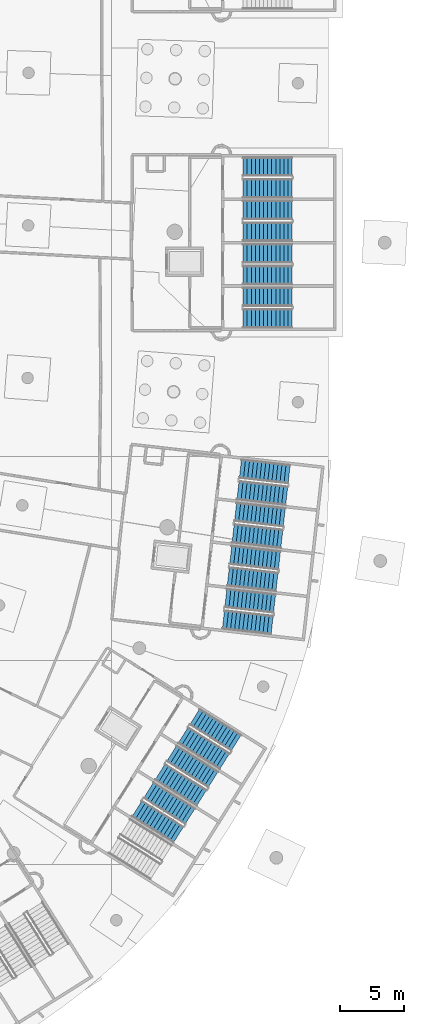
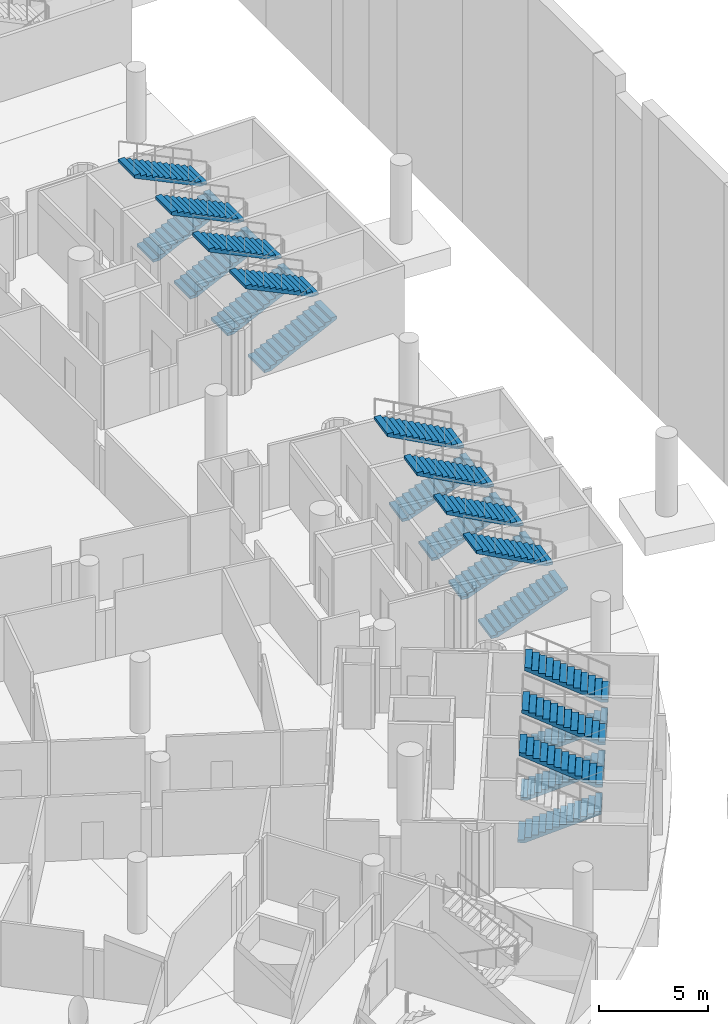
# One storey, part 102 of 142: 22 stair flights, 11 elements without a shape of their own.
"""IFC4 building model written with IfcOpenShell, lengths in metres."""

from ifc_helpers import new_model, si_unit, direction, frame, origin, place, context, subcontext, project, spatial, polyline, outline, extrude, material, type_object, element, aggregate, save


model = new_model("IFC4")

# Units and contexts
model_context = context("Model", 3, precision=1e-05, world=origin(), true_north=direction((0.0, 1.0)))
body_context = subcontext(model_context, "Body", "Model", "MODEL_VIEW")
ifc_project = project(units=[si_unit("LENGTHUNIT", "METRE"), si_unit("AREAUNIT", "SQUARE_METRE"), si_unit("VOLUMEUNIT", "CUBIC_METRE"), si_unit("PLANEANGLEUNIT", "RADIAN"), si_unit("MASSUNIT", "GRAM", prefix="KILO")], contexts=[model_context])

# Site, building, storey
site_placement = place(None, origin())
site = spatial("IfcSite", under=ifc_project, at=site_placement, CompositionType="ELEMENT")
building_placement = place(site_placement, origin())
building = spatial("IfcBuilding", under=site, at=building_placement, Name="Meseta Stadium", CompositionType="ELEMENT")
storey_placement = place(building_placement, frame((0.0, 0.0, -4.0)))
storey = spatial("IfcBuildingStorey", under=building, at=storey_placement, Name="B1", CompositionType="ELEMENT", Elevation=-4.0)

# Stair, stair flights
ifc_material_1 = material(Name="Concrete C40/50", Category="concrete")
stair_type = type_object("IfcStairType", Name="Exit stair 2 flights 154 mm risers", PredefinedType="HALF_TURN_STAIR", material=ifc_material_1)
stair_1_placement = place(storey_placement, origin())
stair_1 = element("IfcStair", 1, at=stair_1_placement, inside=storey, type_object=stair_type, Name="ST1 B1", PredefinedType="HALF_TURN_STAIR")
ifc_material_2 = material(Name="Concrete C40/50", Category="concrete")
stair_flight_type = type_object("IfcStairFlightType", Name="Exit stair flight 154 mm risers, 2 per storey", PredefinedType="STRAIGHT", material=ifc_material_2)
stair_flight_1_placement = place(storey_placement, frame((88.759033203125, -60.805419921875, 0.0), z_axis=(0.0, 0.0, 1.0), x_axis=(0.993712210731, -0.11196446867, 0.0)))
stair_flight_1 = element("IfcStairFlight", 2, at=stair_flight_1_placement, type_object=stair_flight_type, Name="ST1 B1 flight 1", NumberOfRisers=13, NumberOfTreads=12, PredefinedType="STRAIGHT", RiserHeight=0.153846154, TreadLength=0.32, context=body_context, shape_type="SweptSolid", body=[
    extrude(outline(polyline([(0.0, 0.0), (0.0, 0.15380859375), (0.320068359375, 0.15380859375), (0.320068359375, 0.3076171875), (0.639892578125, 0.3076171875), (0.639892578125, 0.46142578125), (0.9599609375, 0.46142578125), (0.9599609375, 0.615478515625), (1.280029296875, 0.615478515625), (1.280029296875, 0.769287109375), (1.60009765625, 0.769287109375), (1.60009765625, 0.923095703125), (1.919921875, 0.923095703125), (1.919921875, 1.076904296875), (2.239990234375, 1.076904296875), (2.239990234375, 1.230712890625), (2.56005859375, 1.230712890625), (2.56005859375, 1.384521484375), (2.8798828125, 1.384521484375), (2.8798828125, 1.53857421875), (3.199951171875, 1.53857421875), (3.199951171875, 1.6923828125), (3.52001953125, 1.6923828125), (3.52001953125, 1.84619140625), (3.840087890625, 1.84619140625), (3.840087890625, 1.679931640625), (0.345947265625, 0.0), (0.0, 0.0)])), frame((0.0, 0.75, 0.0), z_axis=(0.0, -1.0, 0.0), x_axis=(1.0, 0.0, 0.0)), (0.0, 0.0, 1.0), 1.5),
])
stair_flight_2_placement = place(storey_placement, frame((92.76513671875, -59.546142578125, 2.0), z_axis=(0.0, 0.0, 1.0), x_axis=(-0.993712210731, 0.11196446867, 0.0)))
stair_flight_2 = element("IfcStairFlight", 3, at=stair_flight_2_placement, type_object=stair_flight_type, Name="ST1 B1 flight 2", NumberOfRisers=13, NumberOfTreads=12, PredefinedType="STRAIGHT", RiserHeight=0.153846154, TreadLength=0.32, context=body_context, shape_type="SweptSolid", body=[
    extrude(outline(polyline([(0.0, 0.0), (0.0, 0.15380859375), (0.320068359375, 0.15380859375), (0.320068359375, 0.3076171875), (0.639892578125, 0.3076171875), (0.639892578125, 0.46142578125), (0.9599609375, 0.46142578125), (0.9599609375, 0.615478515625), (1.280029296875, 0.615478515625), (1.280029296875, 0.769287109375), (1.60009765625, 0.769287109375), (1.60009765625, 0.923095703125), (1.919921875, 0.923095703125), (1.919921875, 1.076904296875), (2.239990234375, 1.076904296875), (2.239990234375, 1.230712890625), (2.56005859375, 1.230712890625), (2.56005859375, 1.384521484375), (2.8798828125, 1.384521484375), (2.8798828125, 1.53857421875), (3.199951171875, 1.53857421875), (3.199951171875, 1.6923828125), (3.52001953125, 1.6923828125), (3.52001953125, 1.84619140625), (3.840087890625, 1.84619140625), (3.840087890625, 1.679931640625), (0.345947265625, 0.0), (0.0, 0.0)])), frame((0.0, 0.75, 0.0), z_axis=(0.0, -1.0, 0.0), x_axis=(1.0, 0.0, 0.0)), (0.0, 0.0, 1.0), 1.5),
])
aggregate(stair_1, [stair_flight_1, stair_flight_2])

stair_2_placement = place(storey_placement, origin())
stair_2 = element("IfcStair", 4, at=stair_2_placement, inside=storey, type_object=stair_type, Name="ST2 B1", PredefinedType="HALF_TURN_STAIR")
stair_flight_3_placement = place(storey_placement, frame((89.1396484375, -57.4267578125, 0.0), z_axis=(0.0, 0.0, 1.0), x_axis=(0.993712210731, -0.11196446867, 0.0)))
stair_flight_3 = element("IfcStairFlight", 5, at=stair_flight_3_placement, type_object=stair_flight_type, Name="ST2 B1 flight 1", NumberOfRisers=13, NumberOfTreads=12, PredefinedType="STRAIGHT", RiserHeight=0.153846154, TreadLength=0.32, context=body_context, shape_type="SweptSolid", body=[
    extrude(outline(polyline([(0.0, 0.0), (0.0, 0.15380859375), (0.320068359375, 0.15380859375), (0.320068359375, 0.3076171875), (0.639892578125, 0.3076171875), (0.639892578125, 0.46142578125), (0.9599609375, 0.46142578125), (0.9599609375, 0.615478515625), (1.280029296875, 0.615478515625), (1.280029296875, 0.769287109375), (1.60009765625, 0.769287109375), (1.60009765625, 0.923095703125), (1.919921875, 0.923095703125), (1.919921875, 1.076904296875), (2.239990234375, 1.076904296875), (2.239990234375, 1.230712890625), (2.56005859375, 1.230712890625), (2.56005859375, 1.384521484375), (2.8798828125, 1.384521484375), (2.8798828125, 1.53857421875), (3.199951171875, 1.53857421875), (3.199951171875, 1.6923828125), (3.52001953125, 1.6923828125), (3.52001953125, 1.84619140625), (3.840087890625, 1.84619140625), (3.840087890625, 1.679931640625), (0.345947265625, 0.0), (0.0, 0.0)])), frame((0.0, 0.75, 0.0), z_axis=(0.0, -1.0, 0.0), x_axis=(1.0, 0.0, 0.0)), (0.0, 0.0, 1.0), 1.5),
])
stair_flight_4_placement = place(storey_placement, frame((93.14599609375, -56.16748046875, 2.0), z_axis=(0.0, 0.0, 1.0), x_axis=(-0.993712210731, 0.11196446867, 0.0)))
stair_flight_4 = element("IfcStairFlight", 6, at=stair_flight_4_placement, type_object=stair_flight_type, Name="ST2 B1 flight 2", NumberOfRisers=13, NumberOfTreads=12, PredefinedType="STRAIGHT", RiserHeight=0.153846154, TreadLength=0.32, context=body_context, shape_type="SweptSolid", body=[
    extrude(outline(polyline([(0.0, 0.0), (0.0, 0.15380859375), (0.320068359375, 0.15380859375), (0.320068359375, 0.3076171875), (0.639892578125, 0.3076171875), (0.639892578125, 0.46142578125), (0.9599609375, 0.46142578125), (0.9599609375, 0.615478515625), (1.280029296875, 0.615478515625), (1.280029296875, 0.769287109375), (1.60009765625, 0.769287109375), (1.60009765625, 0.923095703125), (1.919921875, 0.923095703125), (1.919921875, 1.076904296875), (2.239990234375, 1.076904296875), (2.239990234375, 1.230712890625), (2.56005859375, 1.230712890625), (2.56005859375, 1.384521484375), (2.8798828125, 1.384521484375), (2.8798828125, 1.53857421875), (3.199951171875, 1.53857421875), (3.199951171875, 1.6923828125), (3.52001953125, 1.6923828125), (3.52001953125, 1.84619140625), (3.840087890625, 1.84619140625), (3.840087890625, 1.679931640625), (0.345947265625, 0.0), (0.0, 0.0)])), frame((0.0, 0.75, 0.0), z_axis=(0.0, -1.0, 0.0), x_axis=(1.0, 0.0, 0.0)), (0.0, 0.0, 1.0), 1.5),
])
aggregate(stair_2, [stair_flight_3, stair_flight_4])

stair_3_placement = place(storey_placement, origin())
stair_3 = element("IfcStair", 7, at=stair_3_placement, inside=storey, type_object=stair_type, Name="ST3 B1", PredefinedType="HALF_TURN_STAIR")
stair_flight_5_placement = place(storey_placement, frame((89.5205078125, -54.048095703125, 0.0), z_axis=(0.0, 0.0, 1.0), x_axis=(0.993712210731, -0.11196446867, 0.0)))
stair_flight_5 = element("IfcStairFlight", 8, at=stair_flight_5_placement, type_object=stair_flight_type, Name="ST3 B1 flight 1", NumberOfRisers=13, NumberOfTreads=12, PredefinedType="STRAIGHT", RiserHeight=0.153846154, TreadLength=0.32, context=body_context, shape_type="SweptSolid", body=[
    extrude(outline(polyline([(0.0, 0.0), (0.0, 0.15380859375), (0.320068359375, 0.15380859375), (0.320068359375, 0.3076171875), (0.639892578125, 0.3076171875), (0.639892578125, 0.46142578125), (0.9599609375, 0.46142578125), (0.9599609375, 0.615478515625), (1.280029296875, 0.615478515625), (1.280029296875, 0.769287109375), (1.60009765625, 0.769287109375), (1.60009765625, 0.923095703125), (1.919921875, 0.923095703125), (1.919921875, 1.076904296875), (2.239990234375, 1.076904296875), (2.239990234375, 1.230712890625), (2.56005859375, 1.230712890625), (2.56005859375, 1.384521484375), (2.8798828125, 1.384521484375), (2.8798828125, 1.53857421875), (3.199951171875, 1.53857421875), (3.199951171875, 1.6923828125), (3.52001953125, 1.6923828125), (3.52001953125, 1.84619140625), (3.840087890625, 1.84619140625), (3.840087890625, 1.679931640625), (0.345947265625, 0.0), (0.0, 0.0)])), frame((0.0, 0.75, 0.0), z_axis=(0.0, -1.0, 0.0), x_axis=(1.0, 0.0, 0.0)), (0.0, 0.0, 1.0), 1.5),
])
stair_flight_6_placement = place(storey_placement, frame((93.526611328125, -52.788818359375, 2.0), z_axis=(0.0, 0.0, 1.0), x_axis=(-0.993712210731, 0.11196446867, 0.0)))
stair_flight_6 = element("IfcStairFlight", 9, at=stair_flight_6_placement, type_object=stair_flight_type, Name="ST3 B1 flight 2", NumberOfRisers=13, NumberOfTreads=12, PredefinedType="STRAIGHT", RiserHeight=0.153846154, TreadLength=0.32, context=body_context, shape_type="SweptSolid", body=[
    extrude(outline(polyline([(0.0, 0.0), (0.0, 0.15380859375), (0.320068359375, 0.15380859375), (0.320068359375, 0.3076171875), (0.639892578125, 0.3076171875), (0.639892578125, 0.46142578125), (0.9599609375, 0.46142578125), (0.9599609375, 0.615478515625), (1.280029296875, 0.615478515625), (1.280029296875, 0.769287109375), (1.60009765625, 0.769287109375), (1.60009765625, 0.923095703125), (1.919921875, 0.923095703125), (1.919921875, 1.076904296875), (2.239990234375, 1.076904296875), (2.239990234375, 1.230712890625), (2.56005859375, 1.230712890625), (2.56005859375, 1.384521484375), (2.8798828125, 1.384521484375), (2.8798828125, 1.53857421875), (3.199951171875, 1.53857421875), (3.199951171875, 1.6923828125), (3.52001953125, 1.6923828125), (3.52001953125, 1.84619140625), (3.840087890625, 1.84619140625), (3.840087890625, 1.679931640625), (0.345947265625, 0.0), (0.0, 0.0)])), frame((0.0, 0.75, 0.0), z_axis=(0.0, -1.0, 0.0), x_axis=(1.0, 0.0, 0.0)), (0.0, 0.0, 1.0), 1.5),
])
aggregate(stair_3, [stair_flight_5, stair_flight_6])

stair_4_placement = place(storey_placement, origin())
stair_4 = element("IfcStair", 10, at=stair_4_placement, inside=storey, type_object=stair_type, Name="ST4 B1", PredefinedType="HALF_TURN_STAIR")
stair_flight_7_placement = place(storey_placement, frame((89.901123046875, -50.669677734375, 0.0), z_axis=(0.0, 0.0, 1.0), x_axis=(0.993712210731, -0.11196446867, 0.0)))
stair_flight_7 = element("IfcStairFlight", 11, at=stair_flight_7_placement, type_object=stair_flight_type, Name="ST4 B1 flight 1", NumberOfRisers=13, NumberOfTreads=12, PredefinedType="STRAIGHT", RiserHeight=0.153846154, TreadLength=0.32, context=body_context, shape_type="SweptSolid", body=[
    extrude(outline(polyline([(0.0, 0.0), (0.0, 0.15380859375), (0.320068359375, 0.15380859375), (0.320068359375, 0.3076171875), (0.639892578125, 0.3076171875), (0.639892578125, 0.46142578125), (0.9599609375, 0.46142578125), (0.9599609375, 0.615478515625), (1.280029296875, 0.615478515625), (1.280029296875, 0.769287109375), (1.60009765625, 0.769287109375), (1.60009765625, 0.923095703125), (1.919921875, 0.923095703125), (1.919921875, 1.076904296875), (2.239990234375, 1.076904296875), (2.239990234375, 1.230712890625), (2.56005859375, 1.230712890625), (2.56005859375, 1.384521484375), (2.8798828125, 1.384521484375), (2.8798828125, 1.53857421875), (3.199951171875, 1.53857421875), (3.199951171875, 1.6923828125), (3.52001953125, 1.6923828125), (3.52001953125, 1.84619140625), (3.840087890625, 1.84619140625), (3.840087890625, 1.679931640625), (0.345947265625, 0.0), (0.0, 0.0)])), frame((0.0, 0.75, 0.0), z_axis=(0.0, -1.0, 0.0), x_axis=(1.0, 0.0, 0.0)), (0.0, 0.0, 1.0), 1.5),
])
stair_flight_8_placement = place(storey_placement, frame((93.9072265625, -49.41015625, 2.0), z_axis=(0.0, 0.0, 1.0), x_axis=(-0.993712210731, 0.11196446867, 0.0)))
stair_flight_8 = element("IfcStairFlight", 12, at=stair_flight_8_placement, type_object=stair_flight_type, Name="ST4 B1 flight 2", NumberOfRisers=13, NumberOfTreads=12, PredefinedType="STRAIGHT", RiserHeight=0.153846154, TreadLength=0.32, context=body_context, shape_type="SweptSolid", body=[
    extrude(outline(polyline([(0.0, 0.0), (0.0, 0.15380859375), (0.320068359375, 0.15380859375), (0.320068359375, 0.3076171875), (0.639892578125, 0.3076171875), (0.639892578125, 0.46142578125), (0.9599609375, 0.46142578125), (0.9599609375, 0.615478515625), (1.280029296875, 0.615478515625), (1.280029296875, 0.769287109375), (1.60009765625, 0.769287109375), (1.60009765625, 0.923095703125), (1.919921875, 0.923095703125), (1.919921875, 1.076904296875), (2.239990234375, 1.076904296875), (2.239990234375, 1.230712890625), (2.56005859375, 1.230712890625), (2.56005859375, 1.384521484375), (2.8798828125, 1.384521484375), (2.8798828125, 1.53857421875), (3.199951171875, 1.53857421875), (3.199951171875, 1.6923828125), (3.52001953125, 1.6923828125), (3.52001953125, 1.84619140625), (3.840087890625, 1.84619140625), (3.840087890625, 1.679931640625), (0.345947265625, 0.0), (0.0, 0.0)])), frame((0.0, 0.75, 0.0), z_axis=(0.0, -1.0, 0.0), x_axis=(1.0, 0.0, 0.0)), (0.0, 0.0, 1.0), 1.5),
])
aggregate(stair_4, [stair_flight_7, stair_flight_8])

stair_5_placement = place(storey_placement, origin())
stair_5 = element("IfcStair", 13, at=stair_5_placement, inside=storey, type_object=stair_type, Name="ST5 B1", PredefinedType="HALF_TURN_STAIR")
stair_flight_9_placement = place(storey_placement, frame((90.300048828125, -37.199951171875, 0.0), z_axis=(0.0, 0.0, 1.0), x_axis=(1.0, 0.0, 0.0)))
stair_flight_9 = element("IfcStairFlight", 14, at=stair_flight_9_placement, type_object=stair_flight_type, Name="ST5 B1 flight 1", NumberOfRisers=13, NumberOfTreads=12, PredefinedType="STRAIGHT", RiserHeight=0.153846154, TreadLength=0.32, context=body_context, shape_type="SweptSolid", body=[
    extrude(outline(polyline([(0.0, 0.0), (0.0, 0.15380859375), (0.320068359375, 0.15380859375), (0.320068359375, 0.3076171875), (0.639892578125, 0.3076171875), (0.639892578125, 0.46142578125), (0.9599609375, 0.46142578125), (0.9599609375, 0.615478515625), (1.280029296875, 0.615478515625), (1.280029296875, 0.769287109375), (1.60009765625, 0.769287109375), (1.60009765625, 0.923095703125), (1.919921875, 0.923095703125), (1.919921875, 1.076904296875), (2.239990234375, 1.076904296875), (2.239990234375, 1.230712890625), (2.56005859375, 1.230712890625), (2.56005859375, 1.384521484375), (2.8798828125, 1.384521484375), (2.8798828125, 1.53857421875), (3.199951171875, 1.53857421875), (3.199951171875, 1.6923828125), (3.52001953125, 1.6923828125), (3.52001953125, 1.84619140625), (3.840087890625, 1.84619140625), (3.840087890625, 1.679931640625), (0.345947265625, 0.0), (0.0, 0.0)])), frame((0.0, 0.75, 0.0), z_axis=(0.0, -1.0, 0.0), x_axis=(1.0, 0.0, 0.0)), (0.0, 0.0, 1.0), 1.5),
])
stair_flight_10_placement = place(storey_placement, frame((94.139892578125, -35.5, 2.0), z_axis=(0.0, 0.0, 1.0), x_axis=(-1.0, 0.0, 0.0)))
stair_flight_10 = element("IfcStairFlight", 15, at=stair_flight_10_placement, type_object=stair_flight_type, Name="ST5 B1 flight 2", NumberOfRisers=13, NumberOfTreads=12, PredefinedType="STRAIGHT", RiserHeight=0.153846154, TreadLength=0.32, context=body_context, shape_type="SweptSolid", body=[
    extrude(outline(polyline([(0.0, 0.0), (0.0, 0.15380859375), (0.320068359375, 0.15380859375), (0.320068359375, 0.3076171875), (0.639892578125, 0.3076171875), (0.639892578125, 0.46142578125), (0.9599609375, 0.46142578125), (0.9599609375, 0.615478515625), (1.280029296875, 0.615478515625), (1.280029296875, 0.769287109375), (1.60009765625, 0.769287109375), (1.60009765625, 0.923095703125), (1.919921875, 0.923095703125), (1.919921875, 1.076904296875), (2.239990234375, 1.076904296875), (2.239990234375, 1.230712890625), (2.56005859375, 1.230712890625), (2.56005859375, 1.384521484375), (2.8798828125, 1.384521484375), (2.8798828125, 1.53857421875), (3.199951171875, 1.53857421875), (3.199951171875, 1.6923828125), (3.52001953125, 1.6923828125), (3.52001953125, 1.84619140625), (3.840087890625, 1.84619140625), (3.840087890625, 1.679931640625), (0.345947265625, 0.0), (0.0, 0.0)])), frame((0.0, 0.75, 0.0), z_axis=(0.0, -1.0, 0.0), x_axis=(1.0, 0.0, 0.0)), (0.0, 0.0, 1.0), 1.5),
])
aggregate(stair_5, [stair_flight_9, stair_flight_10])

stair_6_placement = place(storey_placement, origin())
stair_6 = element("IfcStair", 16, at=stair_6_placement, inside=storey, type_object=stair_type, Name="ST6 B1", PredefinedType="HALF_TURN_STAIR")
stair_flight_11_placement = place(storey_placement, frame((90.300048828125, -33.800048828125, 0.0), z_axis=(0.0, 0.0, 1.0), x_axis=(1.0, 0.0, 0.0)))
stair_flight_11 = element("IfcStairFlight", 17, at=stair_flight_11_placement, type_object=stair_flight_type, Name="ST6 B1 flight 1", NumberOfRisers=13, NumberOfTreads=12, PredefinedType="STRAIGHT", RiserHeight=0.153846154, TreadLength=0.32, context=body_context, shape_type="SweptSolid", body=[
    extrude(outline(polyline([(0.0, 0.0), (0.0, 0.15380859375), (0.320068359375, 0.15380859375), (0.320068359375, 0.3076171875), (0.639892578125, 0.3076171875), (0.639892578125, 0.46142578125), (0.9599609375, 0.46142578125), (0.9599609375, 0.615478515625), (1.280029296875, 0.615478515625), (1.280029296875, 0.769287109375), (1.60009765625, 0.769287109375), (1.60009765625, 0.923095703125), (1.919921875, 0.923095703125), (1.919921875, 1.076904296875), (2.239990234375, 1.076904296875), (2.239990234375, 1.230712890625), (2.56005859375, 1.230712890625), (2.56005859375, 1.384521484375), (2.8798828125, 1.384521484375), (2.8798828125, 1.53857421875), (3.199951171875, 1.53857421875), (3.199951171875, 1.6923828125), (3.52001953125, 1.6923828125), (3.52001953125, 1.84619140625), (3.840087890625, 1.84619140625), (3.840087890625, 1.679931640625), (0.345947265625, 0.0), (0.0, 0.0)])), frame((0.0, 0.75, 0.0), z_axis=(0.0, -1.0, 0.0), x_axis=(1.0, 0.0, 0.0)), (0.0, 0.0, 1.0), 1.5),
])
stair_flight_12_placement = place(storey_placement, frame((94.139892578125, -32.10009765625, 2.0), z_axis=(0.0, 0.0, 1.0), x_axis=(-1.0, 0.0, 0.0)))
stair_flight_12 = element("IfcStairFlight", 18, at=stair_flight_12_placement, type_object=stair_flight_type, Name="ST6 B1 flight 2", NumberOfRisers=13, NumberOfTreads=12, PredefinedType="STRAIGHT", RiserHeight=0.153846154, TreadLength=0.32, context=body_context, shape_type="SweptSolid", body=[
    extrude(outline(polyline([(0.0, 0.0), (0.0, 0.15380859375), (0.320068359375, 0.15380859375), (0.320068359375, 0.3076171875), (0.639892578125, 0.3076171875), (0.639892578125, 0.46142578125), (0.9599609375, 0.46142578125), (0.9599609375, 0.615478515625), (1.280029296875, 0.615478515625), (1.280029296875, 0.769287109375), (1.60009765625, 0.769287109375), (1.60009765625, 0.923095703125), (1.919921875, 0.923095703125), (1.919921875, 1.076904296875), (2.239990234375, 1.076904296875), (2.239990234375, 1.230712890625), (2.56005859375, 1.230712890625), (2.56005859375, 1.384521484375), (2.8798828125, 1.384521484375), (2.8798828125, 1.53857421875), (3.199951171875, 1.53857421875), (3.199951171875, 1.6923828125), (3.52001953125, 1.6923828125), (3.52001953125, 1.84619140625), (3.840087890625, 1.84619140625), (3.840087890625, 1.679931640625), (0.345947265625, 0.0), (0.0, 0.0)])), frame((0.0, 0.75, 0.0), z_axis=(0.0, -1.0, 0.0), x_axis=(1.0, 0.0, 0.0)), (0.0, 0.0, 1.0), 1.5),
])
aggregate(stair_6, [stair_flight_11, stair_flight_12])

stair_7_placement = place(storey_placement, origin())
stair_7 = element("IfcStair", 19, at=stair_7_placement, inside=storey, type_object=stair_type, Name="ST7 B1", PredefinedType="HALF_TURN_STAIR")
stair_flight_13_placement = place(storey_placement, frame((90.300048828125, -30.39990234375, 0.0), z_axis=(0.0, 0.0, 1.0), x_axis=(1.0, 0.0, 0.0)))
stair_flight_13 = element("IfcStairFlight", 20, at=stair_flight_13_placement, type_object=stair_flight_type, Name="ST7 B1 flight 1", NumberOfRisers=13, NumberOfTreads=12, PredefinedType="STRAIGHT", RiserHeight=0.153846154, TreadLength=0.32, context=body_context, shape_type="SweptSolid", body=[
    extrude(outline(polyline([(0.0, 0.0), (0.0, 0.15380859375), (0.320068359375, 0.15380859375), (0.320068359375, 0.3076171875), (0.639892578125, 0.3076171875), (0.639892578125, 0.46142578125), (0.9599609375, 0.46142578125), (0.9599609375, 0.615478515625), (1.280029296875, 0.615478515625), (1.280029296875, 0.769287109375), (1.60009765625, 0.769287109375), (1.60009765625, 0.923095703125), (1.919921875, 0.923095703125), (1.919921875, 1.076904296875), (2.239990234375, 1.076904296875), (2.239990234375, 1.230712890625), (2.56005859375, 1.230712890625), (2.56005859375, 1.384521484375), (2.8798828125, 1.384521484375), (2.8798828125, 1.53857421875), (3.199951171875, 1.53857421875), (3.199951171875, 1.6923828125), (3.52001953125, 1.6923828125), (3.52001953125, 1.84619140625), (3.840087890625, 1.84619140625), (3.840087890625, 1.679931640625), (0.345947265625, 0.0), (0.0, 0.0)])), frame((0.0, 0.75, 0.0), z_axis=(0.0, -1.0, 0.0), x_axis=(1.0, 0.0, 0.0)), (0.0, 0.0, 1.0), 1.5),
])
stair_flight_14_placement = place(storey_placement, frame((94.139892578125, -28.699951171875, 2.0), z_axis=(0.0, 0.0, 1.0), x_axis=(-1.0, 0.0, 0.0)))
stair_flight_14 = element("IfcStairFlight", 21, at=stair_flight_14_placement, type_object=stair_flight_type, Name="ST7 B1 flight 2", NumberOfRisers=13, NumberOfTreads=12, PredefinedType="STRAIGHT", RiserHeight=0.153846154, TreadLength=0.32, context=body_context, shape_type="SweptSolid", body=[
    extrude(outline(polyline([(0.0, 0.0), (0.0, 0.15380859375), (0.320068359375, 0.15380859375), (0.320068359375, 0.3076171875), (0.639892578125, 0.3076171875), (0.639892578125, 0.46142578125), (0.9599609375, 0.46142578125), (0.9599609375, 0.615478515625), (1.280029296875, 0.615478515625), (1.280029296875, 0.769287109375), (1.60009765625, 0.769287109375), (1.60009765625, 0.923095703125), (1.919921875, 0.923095703125), (1.919921875, 1.076904296875), (2.239990234375, 1.076904296875), (2.239990234375, 1.230712890625), (2.56005859375, 1.230712890625), (2.56005859375, 1.384521484375), (2.8798828125, 1.384521484375), (2.8798828125, 1.53857421875), (3.199951171875, 1.53857421875), (3.199951171875, 1.6923828125), (3.52001953125, 1.6923828125), (3.52001953125, 1.84619140625), (3.840087890625, 1.84619140625), (3.840087890625, 1.679931640625), (0.345947265625, 0.0), (0.0, 0.0)])), frame((0.0, 0.75, 0.0), z_axis=(0.0, -1.0, 0.0), x_axis=(1.0, 0.0, 0.0)), (0.0, 0.0, 1.0), 1.5),
])
aggregate(stair_7, [stair_flight_13, stair_flight_14])

stair_8_placement = place(storey_placement, origin())
stair_8 = element("IfcStair", 22, at=stair_8_placement, inside=storey, type_object=stair_type, Name="ST8 B1", PredefinedType="HALF_TURN_STAIR")
stair_flight_15_placement = place(storey_placement, frame((90.300048828125, -27.0, 0.0), z_axis=(0.0, 0.0, 1.0), x_axis=(1.0, 0.0, 0.0)))
stair_flight_15 = element("IfcStairFlight", 23, at=stair_flight_15_placement, type_object=stair_flight_type, Name="ST8 B1 flight 1", NumberOfRisers=13, NumberOfTreads=12, PredefinedType="STRAIGHT", RiserHeight=0.153846154, TreadLength=0.32, context=body_context, shape_type="SweptSolid", body=[
    extrude(outline(polyline([(0.0, 0.0), (0.0, 0.15380859375), (0.320068359375, 0.15380859375), (0.320068359375, 0.3076171875), (0.639892578125, 0.3076171875), (0.639892578125, 0.46142578125), (0.9599609375, 0.46142578125), (0.9599609375, 0.615478515625), (1.280029296875, 0.615478515625), (1.280029296875, 0.769287109375), (1.60009765625, 0.769287109375), (1.60009765625, 0.923095703125), (1.919921875, 0.923095703125), (1.919921875, 1.076904296875), (2.239990234375, 1.076904296875), (2.239990234375, 1.230712890625), (2.56005859375, 1.230712890625), (2.56005859375, 1.384521484375), (2.8798828125, 1.384521484375), (2.8798828125, 1.53857421875), (3.199951171875, 1.53857421875), (3.199951171875, 1.6923828125), (3.52001953125, 1.6923828125), (3.52001953125, 1.84619140625), (3.840087890625, 1.84619140625), (3.840087890625, 1.679931640625), (0.345947265625, 0.0), (0.0, 0.0)])), frame((0.0, 0.75, 0.0), z_axis=(0.0, -1.0, 0.0), x_axis=(1.0, 0.0, 0.0)), (0.0, 0.0, 1.0), 1.5),
])
stair_flight_16_placement = place(storey_placement, frame((94.139892578125, -25.300048828125, 2.0), z_axis=(0.0, 0.0, 1.0), x_axis=(-1.0, 0.0, 0.0)))
stair_flight_16 = element("IfcStairFlight", 24, at=stair_flight_16_placement, type_object=stair_flight_type, Name="ST8 B1 flight 2", NumberOfRisers=13, NumberOfTreads=12, PredefinedType="STRAIGHT", RiserHeight=0.153846154, TreadLength=0.32, context=body_context, shape_type="SweptSolid", body=[
    extrude(outline(polyline([(0.0, 0.0), (0.0, 0.15380859375), (0.320068359375, 0.15380859375), (0.320068359375, 0.3076171875), (0.639892578125, 0.3076171875), (0.639892578125, 0.46142578125), (0.9599609375, 0.46142578125), (0.9599609375, 0.615478515625), (1.280029296875, 0.615478515625), (1.280029296875, 0.769287109375), (1.60009765625, 0.769287109375), (1.60009765625, 0.923095703125), (1.919921875, 0.923095703125), (1.919921875, 1.076904296875), (2.239990234375, 1.076904296875), (2.239990234375, 1.230712890625), (2.56005859375, 1.230712890625), (2.56005859375, 1.384521484375), (2.8798828125, 1.384521484375), (2.8798828125, 1.53857421875), (3.199951171875, 1.53857421875), (3.199951171875, 1.6923828125), (3.52001953125, 1.6923828125), (3.52001953125, 1.84619140625), (3.840087890625, 1.84619140625), (3.840087890625, 1.679931640625), (0.345947265625, 0.0), (0.0, 0.0)])), frame((0.0, 0.75, 0.0), z_axis=(0.0, -1.0, 0.0), x_axis=(1.0, 0.0, 0.0)), (0.0, 0.0, 1.0), 1.5),
])
aggregate(stair_8, [stair_flight_15, stair_flight_16])

stair_9_placement = place(storey_placement, origin())
stair_9 = element("IfcStair", 25, at=stair_9_placement, inside=storey, type_object=stair_type, Name="ST110 B1", PredefinedType="HALF_TURN_STAIR")
stair_flight_17_placement = place(storey_placement, frame((81.98388671875, -75.621826171875, 0.0), z_axis=(0.0, 0.0, 1.0), x_axis=(0.846724200555, -0.532032074404, 0.0)))
stair_flight_17 = element("IfcStairFlight", 26, at=stair_flight_17_placement, type_object=stair_flight_type, Name="ST110 B1 flight 1", NumberOfRisers=13, NumberOfTreads=12, PredefinedType="STRAIGHT", RiserHeight=0.153846154, TreadLength=0.32, context=body_context, shape_type="SweptSolid", body=[
    extrude(outline(polyline([(0.0, 0.0), (0.0, 0.15380859375), (0.320068359375, 0.15380859375), (0.320068359375, 0.3076171875), (0.639892578125, 0.3076171875), (0.639892578125, 0.46142578125), (0.9599609375, 0.46142578125), (0.9599609375, 0.615478515625), (1.280029296875, 0.615478515625), (1.280029296875, 0.769287109375), (1.60009765625, 0.769287109375), (1.60009765625, 0.923095703125), (1.919921875, 0.923095703125), (1.919921875, 1.076904296875), (2.239990234375, 1.076904296875), (2.239990234375, 1.230712890625), (2.56005859375, 1.230712890625), (2.56005859375, 1.384521484375), (2.8798828125, 1.384521484375), (2.8798828125, 1.53857421875), (3.199951171875, 1.53857421875), (3.199951171875, 1.6923828125), (3.52001953125, 1.6923828125), (3.52001953125, 1.84619140625), (3.840087890625, 1.84619140625), (3.840087890625, 1.679931640625), (0.345947265625, 0.0), (0.0, 0.0)])), frame((0.0, 0.75, 0.0), z_axis=(0.0, -1.0, 0.0), x_axis=(1.0, 0.0, 0.0)), (0.0, 0.0, 1.0), 1.5),
])
stair_flight_18_placement = place(storey_placement, frame((86.1396484375, -76.225341796875, 2.0), z_axis=(0.0, 0.0, 1.0), x_axis=(-0.846724200555, 0.532032074404, 0.0)))
stair_flight_18 = element("IfcStairFlight", 27, at=stair_flight_18_placement, type_object=stair_flight_type, Name="ST110 B1 flight 2", NumberOfRisers=13, NumberOfTreads=12, PredefinedType="STRAIGHT", RiserHeight=0.153846154, TreadLength=0.32, context=body_context, shape_type="SweptSolid", body=[
    extrude(outline(polyline([(0.0, 0.0), (0.0, 0.15380859375), (0.320068359375, 0.15380859375), (0.320068359375, 0.3076171875), (0.639892578125, 0.3076171875), (0.639892578125, 0.46142578125), (0.9599609375, 0.46142578125), (0.9599609375, 0.615478515625), (1.280029296875, 0.615478515625), (1.280029296875, 0.769287109375), (1.60009765625, 0.769287109375), (1.60009765625, 0.923095703125), (1.919921875, 0.923095703125), (1.919921875, 1.076904296875), (2.239990234375, 1.076904296875), (2.239990234375, 1.230712890625), (2.56005859375, 1.230712890625), (2.56005859375, 1.384521484375), (2.8798828125, 1.384521484375), (2.8798828125, 1.53857421875), (3.199951171875, 1.53857421875), (3.199951171875, 1.6923828125), (3.52001953125, 1.6923828125), (3.52001953125, 1.84619140625), (3.840087890625, 1.84619140625), (3.840087890625, 1.679931640625), (0.345947265625, 0.0), (0.0, 0.0)])), frame((0.0, 0.75, 0.0), z_axis=(0.0, -1.0, 0.0), x_axis=(1.0, 0.0, 0.0)), (0.0, 0.0, 1.0), 1.5),
])
aggregate(stair_9, [stair_flight_17, stair_flight_18])

stair_10_placement = place(storey_placement, origin())
stair_10 = element("IfcStair", 28, at=stair_10_placement, inside=storey, type_object=stair_type, Name="ST111 B1", PredefinedType="HALF_TURN_STAIR")
stair_flight_19_placement = place(storey_placement, frame((83.792724609375, -72.742919921875, 0.0), z_axis=(0.0, 0.0, 1.0), x_axis=(0.846724200555, -0.532032074404, 0.0)))
stair_flight_19 = element("IfcStairFlight", 29, at=stair_flight_19_placement, type_object=stair_flight_type, Name="ST111 B1 flight 1", NumberOfRisers=13, NumberOfTreads=12, PredefinedType="STRAIGHT", RiserHeight=0.153846154, TreadLength=0.32, context=body_context, shape_type="SweptSolid", body=[
    extrude(outline(polyline([(0.0, 0.0), (0.0, 0.15380859375), (0.320068359375, 0.15380859375), (0.320068359375, 0.3076171875), (0.639892578125, 0.3076171875), (0.639892578125, 0.46142578125), (0.9599609375, 0.46142578125), (0.9599609375, 0.615478515625), (1.280029296875, 0.615478515625), (1.280029296875, 0.769287109375), (1.60009765625, 0.769287109375), (1.60009765625, 0.923095703125), (1.919921875, 0.923095703125), (1.919921875, 1.076904296875), (2.239990234375, 1.076904296875), (2.239990234375, 1.230712890625), (2.56005859375, 1.230712890625), (2.56005859375, 1.384521484375), (2.8798828125, 1.384521484375), (2.8798828125, 1.53857421875), (3.199951171875, 1.53857421875), (3.199951171875, 1.6923828125), (3.52001953125, 1.6923828125), (3.52001953125, 1.84619140625), (3.840087890625, 1.84619140625), (3.840087890625, 1.679931640625), (0.345947265625, 0.0), (0.0, 0.0)])), frame((0.0, 0.75, 0.0), z_axis=(0.0, -1.0, 0.0), x_axis=(1.0, 0.0, 0.0)), (0.0, 0.0, 1.0), 1.5),
])
stair_flight_20_placement = place(storey_placement, frame((87.94873046875, -73.346435546875, 2.0), z_axis=(0.0, 0.0, 1.0), x_axis=(-0.846724200555, 0.532032074404, 0.0)))
stair_flight_20 = element("IfcStairFlight", 30, at=stair_flight_20_placement, type_object=stair_flight_type, Name="ST111 B1 flight 2", NumberOfRisers=13, NumberOfTreads=12, PredefinedType="STRAIGHT", RiserHeight=0.153846154, TreadLength=0.32, context=body_context, shape_type="SweptSolid", body=[
    extrude(outline(polyline([(0.0, 0.0), (0.0, 0.15380859375), (0.320068359375, 0.15380859375), (0.320068359375, 0.3076171875), (0.639892578125, 0.3076171875), (0.639892578125, 0.46142578125), (0.9599609375, 0.46142578125), (0.9599609375, 0.615478515625), (1.280029296875, 0.615478515625), (1.280029296875, 0.769287109375), (1.60009765625, 0.769287109375), (1.60009765625, 0.923095703125), (1.919921875, 0.923095703125), (1.919921875, 1.076904296875), (2.239990234375, 1.076904296875), (2.239990234375, 1.230712890625), (2.56005859375, 1.230712890625), (2.56005859375, 1.384521484375), (2.8798828125, 1.384521484375), (2.8798828125, 1.53857421875), (3.199951171875, 1.53857421875), (3.199951171875, 1.6923828125), (3.52001953125, 1.6923828125), (3.52001953125, 1.84619140625), (3.840087890625, 1.84619140625), (3.840087890625, 1.679931640625), (0.345947265625, 0.0), (0.0, 0.0)])), frame((0.0, 0.75, 0.0), z_axis=(0.0, -1.0, 0.0), x_axis=(1.0, 0.0, 0.0)), (0.0, 0.0, 1.0), 1.5),
])
aggregate(stair_10, [stair_flight_19, stair_flight_20])

stair_11_placement = place(storey_placement, origin())
stair_11 = element("IfcStair", 31, at=stair_11_placement, inside=storey, type_object=stair_type, Name="ST112 B1", PredefinedType="HALF_TURN_STAIR")
stair_flight_21_placement = place(storey_placement, frame((85.6015625, -69.864013671875, 0.0), z_axis=(0.0, 0.0, 1.0), x_axis=(0.846724200555, -0.532032074404, 0.0)))
stair_flight_21 = element("IfcStairFlight", 32, at=stair_flight_21_placement, type_object=stair_flight_type, Name="ST112 B1 flight 1", NumberOfRisers=13, NumberOfTreads=12, PredefinedType="STRAIGHT", RiserHeight=0.153846154, TreadLength=0.32, context=body_context, shape_type="SweptSolid", body=[
    extrude(outline(polyline([(0.0, 0.0), (0.0, 0.15380859375), (0.320068359375, 0.15380859375), (0.320068359375, 0.3076171875), (0.639892578125, 0.3076171875), (0.639892578125, 0.46142578125), (0.9599609375, 0.46142578125), (0.9599609375, 0.615478515625), (1.280029296875, 0.615478515625), (1.280029296875, 0.769287109375), (1.60009765625, 0.769287109375), (1.60009765625, 0.923095703125), (1.919921875, 0.923095703125), (1.919921875, 1.076904296875), (2.239990234375, 1.076904296875), (2.239990234375, 1.230712890625), (2.56005859375, 1.230712890625), (2.56005859375, 1.384521484375), (2.8798828125, 1.384521484375), (2.8798828125, 1.53857421875), (3.199951171875, 1.53857421875), (3.199951171875, 1.6923828125), (3.52001953125, 1.6923828125), (3.52001953125, 1.84619140625), (3.840087890625, 1.84619140625), (3.840087890625, 1.679931640625), (0.345947265625, 0.0), (0.0, 0.0)])), frame((0.0, 0.75, 0.0), z_axis=(0.0, -1.0, 0.0), x_axis=(1.0, 0.0, 0.0)), (0.0, 0.0, 1.0), 1.5),
])
stair_flight_22_placement = place(storey_placement, frame((89.757568359375, -70.467529296875, 2.0), z_axis=(0.0, 0.0, 1.0), x_axis=(-0.846724200555, 0.532032074404, 0.0)))
stair_flight_22 = element("IfcStairFlight", 33, at=stair_flight_22_placement, type_object=stair_flight_type, Name="ST112 B1 flight 2", NumberOfRisers=13, NumberOfTreads=12, PredefinedType="STRAIGHT", RiserHeight=0.153846154, TreadLength=0.32, context=body_context, shape_type="SweptSolid", body=[
    extrude(outline(polyline([(0.0, 0.0), (0.0, 0.15380859375), (0.320068359375, 0.15380859375), (0.320068359375, 0.3076171875), (0.639892578125, 0.3076171875), (0.639892578125, 0.46142578125), (0.9599609375, 0.46142578125), (0.9599609375, 0.615478515625), (1.280029296875, 0.615478515625), (1.280029296875, 0.769287109375), (1.60009765625, 0.769287109375), (1.60009765625, 0.923095703125), (1.919921875, 0.923095703125), (1.919921875, 1.076904296875), (2.239990234375, 1.076904296875), (2.239990234375, 1.230712890625), (2.56005859375, 1.230712890625), (2.56005859375, 1.384521484375), (2.8798828125, 1.384521484375), (2.8798828125, 1.53857421875), (3.199951171875, 1.53857421875), (3.199951171875, 1.6923828125), (3.52001953125, 1.6923828125), (3.52001953125, 1.84619140625), (3.840087890625, 1.84619140625), (3.840087890625, 1.679931640625), (0.345947265625, 0.0), (0.0, 0.0)])), frame((0.0, 0.75, 0.0), z_axis=(0.0, -1.0, 0.0), x_axis=(1.0, 0.0, 0.0)), (0.0, 0.0, 1.0), 1.5),
])
aggregate(stair_11, [stair_flight_21, stair_flight_22])

save(model, "model.ifc")
